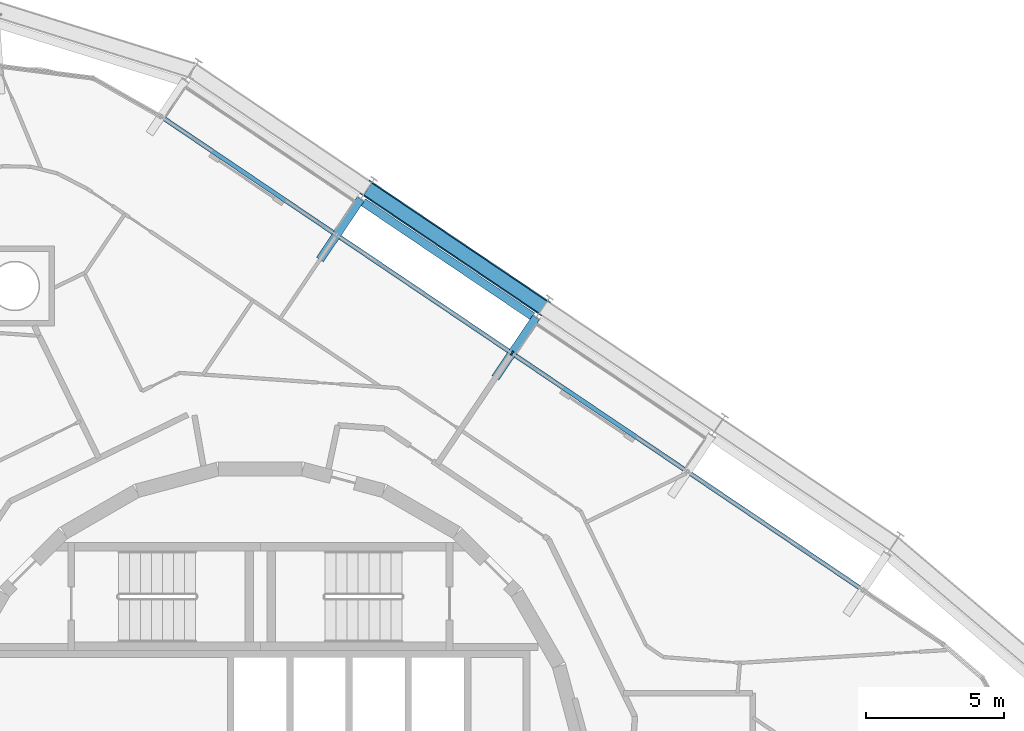
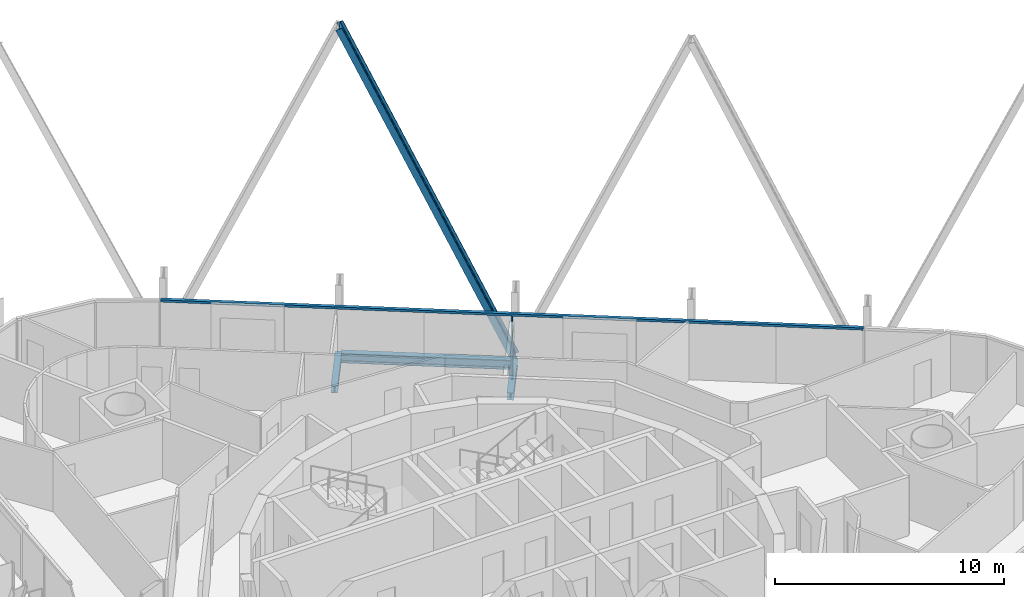
# One storey, part 7 of 18: 3 beams, 3 members, 1 element without a shape of its own.
"""IFC4 building model written with IfcOpenShell, lengths in metres."""

import ifcopenshell
import ifcopenshell.guid

model = None  # the IFC model being written
_history = None  # IfcOwnerHistory: only IFC2X3 demands one
_inside = {}  # id of a spatial element -> (the spatial element, [elements in it])
_under = {}  # id of a project, library or spatial element -> (it, [spatial elements below it])
_declared = {}  # id of a project -> (the project, [libraries it declares])
_typed = {}  # id of a type object -> (the type object, [elements of that type])
_made_of = {}  # id of a material, layer set ... -> (it, [elements and type objects made of it])


def new_model(schema):
    """Start an empty IFC model of exactly this schema.

    Asked for "IFC4X3", IfcOpenShell would pick the latest addendum, in which some entities
    have other attributes; the version numbers below select the first issue.
    IFC2X3 requires an IfcOwnerHistory on every rooted entity: one is made here for all.
    """
    global model, _history
    if schema == "IFC4X3":
        model = ifcopenshell.file(schema_version=(4, 3, 0, 0))
    else:
        model = ifcopenshell.file(schema=schema)
    _inside.clear()
    _under.clear()
    _declared.clear()
    _typed.clear()
    _made_of.clear()
    _history = None
    if model.schema == "IFC2X3":
        org = make("IfcOrganization", Name="unknown")
        user = make(
            "IfcPersonAndOrganization",
            ThePerson=make("IfcPerson", FamilyName="unknown"),
            TheOrganization=org,
        )
        app = make(
            "IfcApplication",
            ApplicationDeveloper=org,
            Version="unknown",
            ApplicationFullName="unknown",
            ApplicationIdentifier="unknown",
        )
        _history = make(
            "IfcOwnerHistory",
            OwningUser=user,
            OwningApplication=app,
            ChangeAction="ADDED",
            CreationDate=0,
        )
    return model


def make(cls, **values):
    """One entity of the class cls with the attributes given. An attribute that is None is left unset."""
    return model.create_entity(
        cls, **{name: value for name, value in values.items() if value is not None}
    )


def rooted(cls, **values):
    """An entity with a GlobalId (a new one), such as an element, a storey or a relation."""
    return make(cls, GlobalId=ifcopenshell.guid.new(), OwnerHistory=_history, **values)


def si_unit(unit_type, name, prefix=None):
    """IfcSIUnit, for example si_unit("LENGTHUNIT", "METRE", prefix="MILLI")."""
    return make("IfcSIUnit", UnitType=unit_type, Prefix=prefix, Name=name)


def assignment(units):
    """IfcUnitAssignment: the units of a project."""
    return None if units is None else make("IfcUnitAssignment", Units=units)


def point(xyz):
    """IfcCartesianPoint."""
    return None if xyz is None else make("IfcCartesianPoint", Coordinates=xyz)


def direction(xyz):
    """IfcDirection."""
    return None if xyz is None else make("IfcDirection", DirectionRatios=xyz)


def frame(location, z_axis=None, x_axis=None):
    """IfcAxis2Placement3D, a coordinate frame: its origin and axes. An axis left out is left unset."""
    return make(
        "IfcAxis2Placement3D",
        Location=point(location),
        Axis=direction(z_axis),
        RefDirection=direction(x_axis),
    )


def frame_2d(location, x_axis=None):
    """IfcAxis2Placement2D, a coordinate frame in the plane: its origin and x axis."""
    return make(
        "IfcAxis2Placement2D", Location=point(location), RefDirection=direction(x_axis)
    )


def origin():
    """The frame at (0, 0, 0) with its axes left unset."""
    return frame((0.0, 0.0, 0.0))


def origin_2d():
    """The frame at (0, 0) in the plane with its x axis left unset."""
    return frame_2d((0.0, 0.0))


def place(relative_to, where):
    """IfcLocalPlacement: puts the frame where relative to a parent placement (None: the world)."""
    return make(
        "IfcLocalPlacement", PlacementRelTo=relative_to, RelativePlacement=where
    )


def context(
    kind, dimensions, precision=None, world=None, true_north=None, identifier=None
):
    """IfcGeometricRepresentationContext, for example the 3D "Model" context."""
    return make(
        "IfcGeometricRepresentationContext",
        ContextIdentifier=identifier,
        ContextType=kind,
        CoordinateSpaceDimension=dimensions,
        Precision=precision,
        WorldCoordinateSystem=world,
        TrueNorth=true_north,
    )


def subcontext(parent, identifier, kind, view, scale=None):
    """IfcGeometricRepresentationSubContext, for example "Body" below "Model"."""
    return make(
        "IfcGeometricRepresentationSubContext",
        ContextIdentifier=identifier,
        ContextType=kind,
        ParentContext=parent,
        TargetScale=scale,
        TargetView=view,
    )


def project(units=None, contexts=None):
    """IfcProject with its units and contexts."""
    return rooted(
        "IfcProject",
        Name="project",
        RepresentationContexts=contexts,
        UnitsInContext=assignment(units),
    )


def spatial(cls, under=None, at=None, **own):
    """A site, building, storey or space (cls), placed at a placement, below another one or the project."""
    s = rooted(cls, ObjectPlacement=at, **own)
    if under is not None:
        _under.setdefault(under.id(), (under, []))[1].append(s)
    return s


def profile(cls, at=None, kind="AREA", **sizes):
    """A parametric profile (cls). Its sizes go by their IFC names, for example OverallWidth=200.0."""
    return make(cls, ProfileType=kind, Position=at, **sizes)


def rectangle(**sizes):
    """IfcRectangleProfileDef."""
    return profile("IfcRectangleProfileDef", **sizes)


def i_section(**sizes):
    """IfcIShapeProfileDef."""
    return profile("IfcIShapeProfileDef", **sizes)


def extrude(swept, where, along, depth):
    """IfcExtrudedAreaSolid: the profile swept, set in the frame where, extruded along a direction by depth."""
    return make(
        "IfcExtrudedAreaSolid",
        SweptArea=swept,
        Position=where,
        ExtrudedDirection=direction(along),
        Depth=depth,
    )


def shape(context_of_items, identifier, shape_type, items):
    """IfcShapeRepresentation: the items that make up one representation, for example the "Body"."""
    return make(
        "IfcShapeRepresentation",
        ContextOfItems=context_of_items,
        RepresentationIdentifier=identifier,
        RepresentationType=shape_type,
        Items=items,
    )


def material(Name=None, Category=None):
    """IfcMaterial."""
    return make("IfcMaterial", Name=Name, Category=Category)


def layer(
    of_material, thickness, ventilated=None, Name=None, Category=None, Priority=None
):
    """IfcMaterialLayer: one layer of a wall or slab, of a material (None: an air gap)."""
    return make(
        "IfcMaterialLayer",
        Material=of_material,
        LayerThickness=thickness,
        IsVentilated=ventilated,
        Name=Name,
        Category=Category,
        Priority=Priority,
    )


def layer_set(layers, Name=None):
    """IfcMaterialLayerSet."""
    return make("IfcMaterialLayerSet", MaterialLayers=layers, LayerSetName=Name)


def material_profile(
    of_material, cross_section, Name=None, Category=None, Priority=None
):
    """IfcMaterialProfile: a cross section and its material."""
    return make(
        "IfcMaterialProfile",
        Name=Name,
        Material=of_material,
        Profile=cross_section,
        Priority=Priority,
        Category=Category,
    )


def profile_set(profiles, Name=None, composite=None):
    """IfcMaterialProfileSet."""
    return make(
        "IfcMaterialProfileSet",
        Name=Name,
        MaterialProfiles=profiles,
        CompositeProfile=composite,
    )


def made_of(thing, what):
    """Note that an element or type object is made of a material, layer set ...; save() writes the relation."""
    if what is not None:
        _made_of.setdefault(what.id(), (what, []))[1].append(thing)
    return thing


def type_object(cls, material=None, **own):
    """A type object (cls), such as IfcWallType, which elements share."""
    return made_of(rooted(cls, **own), material)


def element(
    cls,
    number,
    at=None,
    inside=None,
    cuts=None,
    type_object=None,
    material=None,
    context=None,
    identifier="Body",
    shape_type=None,
    held_by="IfcProductDefinitionShape",
    body=None,
    shapes=None,
    **own,
):
    """One element of the class cls, such as IfcWall. Its Tag is "e" and its number.

    at: its placement. inside: the storey or other place that contains it. cuts: it is an
    opening in that element (IfcRelVoidsElement). A single representation is given by context,
    identifier, shape_type and body (its items); several are given by shapes. held_by: the class
    of the entity that holds the representations. save() writes the other relations.
    """
    e = rooted(cls, Tag="e%d" % number, ObjectPlacement=at, **own)
    if body is not None:
        shapes = [shape(context, identifier, shape_type, body)]
    if shapes is not None:
        e.Representation = make(held_by, Representations=shapes)
    if inside is not None:
        _inside.setdefault(inside.id(), (inside, []))[1].append(e)
    if cuts is not None:
        rooted(
            "IfcRelVoidsElement", RelatingBuildingElement=cuts, RelatedOpeningElement=e
        )
    if type_object is not None:
        _typed.setdefault(type_object.id(), (type_object, []))[1].append(e)
    return made_of(e, material)


def aggregate(whole, parts):
    """IfcRelAggregates: a whole, such as a stair, and the parts it consists of."""
    return rooted("IfcRelAggregates", RelatingObject=whole, RelatedObjects=parts)


def save(model, path):
    """Write the relations noted so far, then the file.

    IfcRelAggregates (storeys below a building ...), IfcRelContainedInSpatialStructure (elements
    in a storey), IfcRelDefinesByType, IfcRelAssociatesMaterial and IfcRelDeclares: one each for
    every whole, place, type object, material and project.
    """
    for whole, parts in _under.values():
        aggregate(whole, parts)
    for where, things in _inside.values():
        rooted(
            "IfcRelContainedInSpatialStructure",
            RelatedElements=things,
            RelatingStructure=where,
        )
    for kind, things in _typed.values():
        rooted("IfcRelDefinesByType", RelatedObjects=things, RelatingType=kind)
    for what, things in _made_of.values():
        rooted("IfcRelAssociatesMaterial", RelatedObjects=things, RelatingMaterial=what)
    for by, libraries in _declared.values():
        rooted("IfcRelDeclares", RelatingContext=by, RelatedDefinitions=libraries)
    model.write(path)


model = new_model("IFC4")

# Units and contexts
model_context = context("Model", 3, precision=1e-05, world=origin(), true_north=direction((0.0, 1.0)))
body_context = subcontext(model_context, "Body", "Model", "MODEL_VIEW")
ifc_project = project(units=[si_unit("LENGTHUNIT", "METRE"), si_unit("AREAUNIT", "SQUARE_METRE"), si_unit("VOLUMEUNIT", "CUBIC_METRE"), si_unit("PLANEANGLEUNIT", "RADIAN"), si_unit("MASSUNIT", "GRAM", prefix="KILO")], contexts=[model_context])

# Site, building, storey
site_placement = place(None, origin())
site = spatial("IfcSite", under=ifc_project, at=site_placement, CompositionType="ELEMENT")
building_placement = place(site_placement, origin())
building = spatial("IfcBuilding", under=site, at=building_placement, Name="Spindle Arch Residences", CompositionType="ELEMENT")
storey_placement = place(building_placement, frame((0.0, 0.0, 202.39990234375)))
storey = spatial("IfcBuildingStorey", under=building, at=storey_placement, Name="L51", CompositionType="ELEMENT", Elevation=202.39990234375)

# Curtain wall, members
ifc_material_1 = material(Name="Aluminium bronze unitised frame with tinted glass", Category="aluminium")
ifc_layer = layer(ifc_material_1, 0.159912109375)
ifc_layer_set = layer_set([ifc_layer], Name="CW-C typical residential unitised wall")
curtain_wall_type = type_object("IfcCurtainWallType", Name="CW-C typical residential unitised wall", PredefinedType="NOTDEFINED", material=ifc_layer_set)
curtain_wall_placement = place(storey_placement, origin())
curtain_wall = element("IfcCurtainWall", 1, at=curtain_wall_placement, inside=storey, type_object=curtain_wall_type, Name="CW-C L51 run 2", PredefinedType="NOTDEFINED")
ifc_material_2 = material(Name="Aluminium bronze anodised mullion", Category="aluminium")
ifc_material_profile_1 = material_profile(ifc_material_2, rectangle(XDim=0.159912109375, YDim=0.06005859375, at=origin_2d()), Name="MU 60x160")
ifc_profile_set_1 = profile_set([ifc_material_profile_1], Name="Aluminium bronze anodised mullion")
member_type_1 = type_object("IfcMemberType", Name="Bronze mullion 60x160", PredefinedType="MULLION", material=ifc_profile_set_1)
member_1_placement = place(storey_placement, frame((9.148193359375, 15.85595703125, -0.3798828125), z_axis=(0.0, 0.0, 1.0), x_axis=(-0.559192903471, -0.829037572555, 0.0)))
member_1 = element("IfcMember", 2, at=member_1_placement, type_object=member_type_1, Name="CW-C mullion 07", PredefinedType="MULLION", context=body_context, shape_type="SweptSolid", body=[
    extrude(rectangle(XDim=0.159912109375, YDim=0.06005859375, at=origin_2d()), origin(), (0.0, 0.0, 1.0), 3.3798828125),
])
ifc_material_3 = material(Name="Aluminium bronze anodised transom", Category="aluminium")
ifc_material_profile_2 = material_profile(ifc_material_3, rectangle(XDim=0.159912109375, YDim=0.1201171875, at=origin_2d()), Name="TR 120x160")
ifc_profile_set_2 = profile_set([ifc_material_profile_2], Name="Aluminium bronze anodised transom")
member_type_2 = type_object("IfcMemberType", Name="Bronze transom 120x160", PredefinedType="USERDEFINED", material=ifc_profile_set_2)
member_2_placement = place(storey_placement, frame((21.880126953125, 7.26806640625, 3.06005859375), z_axis=(-0.829038450691, 0.559191601578, 0.0), x_axis=(-0.559191601578, -0.829038450691, 0.0)))
member_2 = element("IfcMember", 3, at=member_2_placement, type_object=member_type_2, Name="CW-C transom 00", ObjectType="TRANSOM", PredefinedType="USERDEFINED", context=body_context, shape_type="SweptSolid", body=[
    extrude(rectangle(XDim=0.159912109375, YDim=0.1201171875, at=origin_2d()), origin(), (0.0, 0.0, 1.0), 30.71484375),
])
aggregate(curtain_wall, [member_2, member_1])

# Member
ifc_material_4 = material(Name="Steel S460ML, intumescent coating R 240", Category="steel")
ifc_material_profile_3 = material_profile(ifc_material_4, i_section(OverallWidth=0.304931640625, OverallDepth=0.6201171875, WebThickness=0.02099609375, FlangeThickness=0.0400390625, FilletRadius=0.027099609375, at=origin_2d()), Name="HEM 600")
ifc_profile_set_3 = profile_set([ifc_material_profile_3], Name="Steel S460ML, intumescent coating R 240")
member_type_3 = type_object("IfcMemberType", Name="Diagrid diagonal HEM 600", PredefinedType="BRACE", material=ifc_profile_set_3)
member_3_placement = place(storey_placement, frame((10.27783203125, 17.530517578125, -0.6298828125), z_axis=(-0.337322731609, 0.227524350318, 0.91348018301), x_axis=(0.757312208919, -0.510807461746, 0.406883220651)))
element("IfcMember", 4, at=member_3_placement, inside=storey, type_object=member_type_3, Name="Diagrid diagonal 5.2.8", PredefinedType="BRACE", context=body_context, shape_type="SweptSolid", body=[
    extrude(i_section(OverallWidth=0.304931640625, OverallDepth=0.6201171875, WebThickness=0.02099609375, FlangeThickness=0.0400390625, FilletRadius=0.027099609375, at=origin_2d()), origin(), (0.0, 0.0, 1.0), 18.908935546875),
])

# Beams
ifc_material_5 = material(Name="Steel S460ML, intumescent coating R 120", Category="steel")
ifc_material_profile_4 = material_profile(ifc_material_5, i_section(OverallWidth=0.300048828125, OverallDepth=0.5, WebThickness=0.014404296875, FlangeThickness=0.028076171875, FilletRadius=0.027099609375, at=origin_2d()), Name="HEB 500")
ifc_profile_set_4 = profile_set([ifc_material_profile_4], Name="Steel S460ML, intumescent coating R 120")
beam_type_1 = type_object("IfcBeamType", Name="Exoskeleton edge beam HEB 500", PredefinedType="BEAM", material=ifc_profile_set_4)
beam_placement = place(storey_placement, frame((9.89599609375, 17.197021484375, -0.6298828125), z_axis=(-0.829031763913, 0.55920151504, 0.0), x_axis=(-0.55920151504, -0.829031763913, 0.0)))
element("IfcBeam", 5, at=beam_placement, inside=storey, type_object=beam_type_1, Name="Exoskeleton edge beam 8", PredefinedType="BEAM", context=body_context, shape_type="SweptSolid", body=[
    extrude(i_section(OverallWidth=0.300048828125, OverallDepth=0.5, WebThickness=0.014404296875, FlangeThickness=0.028076171875, FilletRadius=0.027099609375, at=origin_2d()), origin(), (0.0, 0.0, 1.0), 7.433837890625),
])
ifc_material_6 = material(Name="Steel S460ML, intumescent coating R 120", Category="steel")
ifc_material_profile_5 = material_profile(ifc_material_6, i_section(OverallWidth=0.300048828125, OverallDepth=0.389892578125, WebThickness=0.010986328125, FlangeThickness=0.01904296875, FilletRadius=0.027099609375, at=origin_2d()), Name="HEA 400")
ifc_profile_set_5 = profile_set([ifc_material_profile_5], Name="Steel S460ML, intumescent coating R 120")
beam_type_2 = type_object("IfcBeamType", Name="Floor outrigger HEA 400", PredefinedType="BEAM", material=ifc_profile_set_5)
for number, where, z_axis, x_axis, name in (
    (6, (10.026123046875, 17.157470703125, -0.574951171875), (-0.559241810757, -0.829004582075, 0.0), (0.829004582075, -0.559241810757, 0.0), "Floor outrigger 8"),
    (7, (3.647705078125, 21.459716796875, -0.574951171875), (-0.559135777436, -0.829076101688, 0.0), (0.829076101688, -0.559135777436, 0.0), "Floor outrigger 9"),
):
    element("IfcBeam", number, at=place(storey_placement, frame(where, z_axis=z_axis, x_axis=x_axis)), inside=storey, type_object=beam_type_2, Name=name, PredefinedType="BEAM", context=body_context, shape_type="SweptSolid", body=[
        extrude(i_section(OverallWidth=0.300048828125, OverallDepth=0.389892578125, WebThickness=0.010986328125, FlangeThickness=0.01904296875, FilletRadius=0.027099609375, at=origin_2d()), origin(), (0.0, 0.0, 1.0), 2.64990234375),
    ])

save(model, "model.ifc")
